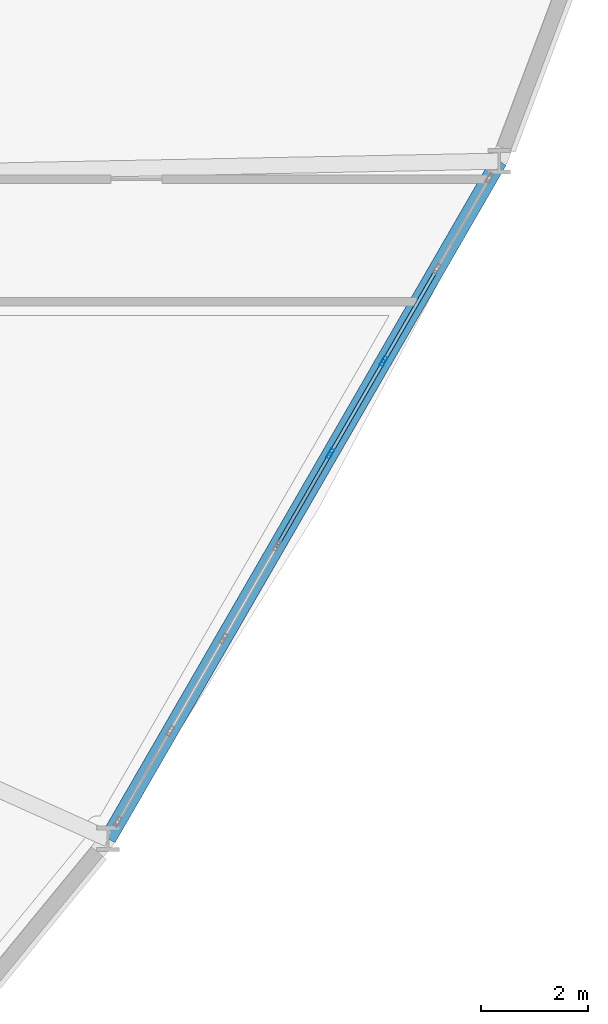
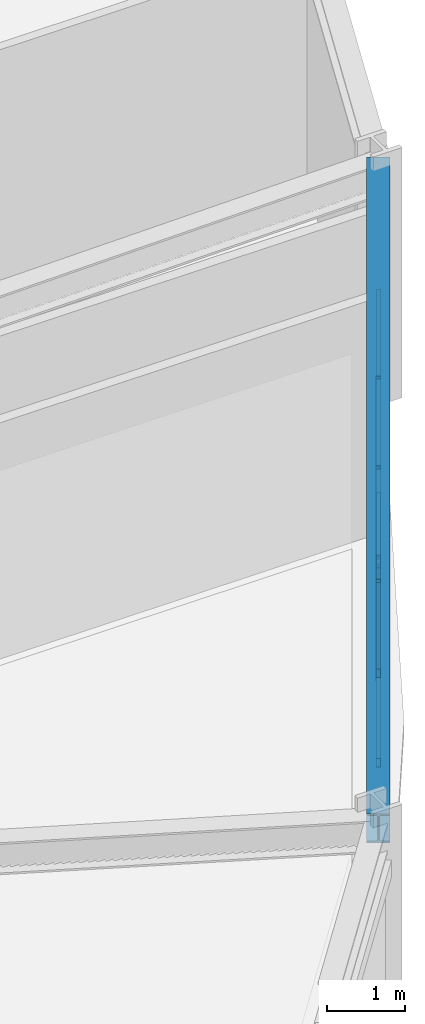
# One storey, part 7 of 20: 9 members, 1 beam, 1 element without a shape of its own.
"""IFC4 building model written with IfcOpenShell, lengths in metres."""

from ifc_helpers import new_model, si_unit, derived_unit, direction, frame, origin, origin_2d, place, context, subcontext, project, spatial, hollow_rectangle, i_section, extrude, source, transform, mapped, material, layer, layer_set, material_profile, profile_set, type_object, element, aggregate, save


model = new_model("IFC4")

# Units and contexts
model_context = context("Model", 3, precision=1e-05, world=origin(), true_north=direction((0.0, 1.0)))
body_context = subcontext(model_context, "Body", "Model", "MODEL_VIEW")
ifc_project = project(units=[si_unit("LENGTHUNIT", "METRE"), si_unit("AREAUNIT", "SQUARE_METRE"), si_unit("VOLUMEUNIT", "CUBIC_METRE"), si_unit("PLANEANGLEUNIT", "RADIAN"), si_unit("MASSUNIT", "GRAM", prefix="KILO"), derived_unit("THERMALTRANSMITTANCEUNIT", [(si_unit("POWERUNIT", "WATT"), 1), (si_unit("LENGTHUNIT", "METRE"), -2), (si_unit("THERMODYNAMICTEMPERATUREUNIT", "KELVIN"), -1)])], contexts=[model_context])

# Site, building, storey
site_placement = place(None, origin())
site = spatial("IfcSite", under=ifc_project, at=site_placement, CompositionType="ELEMENT")
building_placement = place(site_placement, origin())
building = spatial("IfcBuilding", under=site, at=building_placement, Name="Korsvarv Bourse and Concert Hall", CompositionType="ELEMENT")
storey_placement = place(building_placement, frame((0.0, 0.0, 87.300048828125)))
storey = spatial("IfcBuildingStorey", under=building, at=storey_placement, Name="L21", CompositionType="ELEMENT", Elevation=87.300048828125)

# Beam
ifc_material_1 = material(Name="Steel S355", Category="steel")
ifc_material_profile_1 = material_profile(ifc_material_1, i_section(OverallWidth=0.300048828125, OverallDepth=0.449951171875, WebThickness=0.013916015625, FlangeThickness=0.02587890625, FilletRadius=0.02099609375, at=origin_2d()), Name="HEB 450")
ifc_profile_set_1 = profile_set([ifc_material_profile_1], Name="Steel S355")
beam_type = type_object("IfcBeamType", Name="BM-HEB450", PredefinedType="SPANDREL", material=ifc_profile_set_1)
shared_shape_1 = source(origin(), body_context, "Body", "SweptSolid", [
    extrude(i_section(OverallWidth=0.300048828125, OverallDepth=0.449951171875, WebThickness=0.013916015625, FlangeThickness=0.02587890625, FilletRadius=0.02099609375, at=origin_2d()), origin(), (0.0, 0.0, 1.0), 14.6181640625),
])
beam_placement = place(storey_placement, frame((53.309814453125, 19.9912109375, 3.454833984375), z_axis=(0.500000991318, 0.866024831446, 0.0), x_axis=(-0.866024831446, 0.500000991318, 0.0)))
element("IfcBeam", 1, at=beam_placement, inside=storey, type_object=beam_type, Name="L21 beam B-08", PredefinedType="SPANDREL", context=body_context, shape_type="MappedRepresentation", body=[
    mapped(shared_shape_1, transform((0.0, 0.0, 0.0), scale=1.0)),
])

# Curtain wall, members
ifc_material_2 = material(Name="Anodised aluminium and triple low-E glazing", Category="glass")
ifc_layer = layer(ifc_material_2, 0.219970703125)
ifc_layer_set = layer_set([ifc_layer], Name="Anodised aluminium and triple low-E glazing")
curtain_wall_type = type_object("IfcCurtainWallType", Name="CW-SYS-1", PredefinedType="NOTDEFINED", material=ifc_layer_set)
curtain_wall_placement = place(storey_placement, origin())
curtain_wall = element("IfcCurtainWall", 2, at=curtain_wall_placement, inside=storey, type_object=curtain_wall_type, Name="L21 CW1 curtain wall CW-L21-F11", PredefinedType="NOTDEFINED")
ifc_material_3 = material(Name="Extruded aluminium EN AW-6063 T66", Category="aluminium")
ifc_material_profile_2 = material_profile(ifc_material_3, hollow_rectangle(XDim=0.070068359375, YDim=0.18994140625, WallThickness=0.0048828125, at=origin_2d()), Name="ALU-M 70x190")
ifc_profile_set_2 = profile_set([ifc_material_profile_2], Name="Extruded aluminium EN AW-6063 T66")
member_type_1 = type_object("IfcMemberType", Name="CWM-190", PredefinedType="MULLION", material=ifc_profile_set_2)
shared_shape_2 = source(origin(), body_context, "Body", "SweptSolid", [
    extrude(hollow_rectangle(XDim=0.070068359375, YDim=0.18994140625, WallThickness=0.0048828125, at=origin_2d()), origin(), (0.0, 0.0, 1.0), 3.22998046875),
])
member_1_placement = place(storey_placement, frame((57.462890625, 27.184326171875, 0.0), z_axis=(0.0, 0.0, 1.0), x_axis=(-0.8660261613, 0.499998687942, 0.0)))
member_1 = element("IfcMember", 3, at=member_1_placement, type_object=member_type_1, Name="CW1 mullion 5", PredefinedType="MULLION", context=body_context, shape_type="MappedRepresentation", body=[
    mapped(shared_shape_2, transform((0.0, 0.0, 0.0), scale=1.0)),
])
member_2_placement = place(storey_placement, frame((58.459716796875, 28.910888671875, 0.0), z_axis=(0.0, 0.0, 1.0), x_axis=(-0.8660261613, 0.499998687942, 0.0)))
member_2 = element("IfcMember", 4, at=member_2_placement, type_object=member_type_1, Name="CW1 mullion 6", PredefinedType="MULLION", context=body_context, shape_type="MappedRepresentation", body=[
    mapped(shared_shape_2, transform((0.0, 0.0, 0.0), scale=1.0)),
])
ifc_material_profile_3 = material_profile(ifc_material_3, hollow_rectangle(XDim=0.06494140625, YDim=0.139892578125, WallThickness=0.00390625, at=origin_2d()), Name="ALU-T 65x140")
ifc_profile_set_3 = profile_set([ifc_material_profile_3], Name="Extruded aluminium EN AW-6063 T66")
member_type_2 = type_object("IfcMemberType", Name="CWT-140", PredefinedType="USERDEFINED", material=ifc_profile_set_3)
shared_shape_3 = source(origin(), body_context, "Body", "SweptSolid", [
    extrude(hollow_rectangle(XDim=0.06494140625, YDim=0.139892578125, WallThickness=0.00390625, at=origin_2d()), origin(), (0.0, 0.0, 1.0), 1.923828125),
])
member_3_placement = place(storey_placement, frame((56.4833984375, 25.488037109375, 0.032470703125), z_axis=(0.500015396624, 0.866016514357, 0.0), x_axis=(-0.866016514357, 0.500015396624, 0.0)))
member_3 = element("IfcMember", 5, at=member_3_placement, type_object=member_type_2, Name="CW1 transom 4.1", ObjectType="TRANSOM", PredefinedType="USERDEFINED", context=body_context, shape_type="MappedRepresentation", body=[
    mapped(shared_shape_3, transform((0.0, 0.0, 0.0), scale=1.0)),
])
member_4_placement = place(storey_placement, frame((56.4833984375, 25.488037109375, 3.197509765625), z_axis=(0.500015396624, 0.866016514357, 0.0), x_axis=(-0.866016514357, 0.500015396624, 0.0)))
member_4 = element("IfcMember", 6, at=member_4_placement, type_object=member_type_2, Name="CW1 transom 4.2", ObjectType="TRANSOM", PredefinedType="USERDEFINED", context=body_context, shape_type="MappedRepresentation", body=[
    mapped(shared_shape_3, transform((0.0, 0.0, 0.0), scale=1.0)),
])
member_5_placement = place(storey_placement, frame((57.480224609375, 27.214599609375, 0.032470703125), z_axis=(0.500015396624, 0.866016514357, 0.0), x_axis=(-0.866016514357, 0.500015396624, 0.0)))
member_5 = element("IfcMember", 7, at=member_5_placement, type_object=member_type_2, Name="CW1 transom 5.1", ObjectType="TRANSOM", PredefinedType="USERDEFINED", context=body_context, shape_type="MappedRepresentation", body=[
    mapped(shared_shape_3, transform((0.0, 0.0, 0.0), scale=1.0)),
])
member_6_placement = place(storey_placement, frame((57.480224609375, 27.214599609375, 3.197509765625), z_axis=(0.500015396624, 0.866016514357, 0.0), x_axis=(-0.866016514357, 0.500015396624, 0.0)))
member_6 = element("IfcMember", 8, at=member_6_placement, type_object=member_type_2, Name="CW1 transom 5.2", ObjectType="TRANSOM", PredefinedType="USERDEFINED", context=body_context, shape_type="MappedRepresentation", body=[
    mapped(shared_shape_3, transform((0.0, 0.0, 0.0), scale=1.0)),
])
member_7_placement = place(storey_placement, frame((58.47705078125, 28.941162109375, 0.032470703125), z_axis=(0.500015396624, 0.866016514357, 0.0), x_axis=(-0.866016514357, 0.500015396624, 0.0)))
member_7 = element("IfcMember", 9, at=member_7_placement, type_object=member_type_2, Name="CW1 transom 6.1", ObjectType="TRANSOM", PredefinedType="USERDEFINED", context=body_context, shape_type="MappedRepresentation", body=[
    mapped(shared_shape_3, transform((0.0, 0.0, 0.0), scale=1.0)),
])
member_8_placement = place(storey_placement, frame((58.47705078125, 28.941162109375, 3.197509765625), z_axis=(0.500015396624, 0.866016514357, 0.0), x_axis=(-0.866016514357, 0.500015396624, 0.0)))
member_8 = element("IfcMember", 10, at=member_8_placement, type_object=member_type_2, Name="CW1 transom 6.2", ObjectType="TRANSOM", PredefinedType="USERDEFINED", context=body_context, shape_type="MappedRepresentation", body=[
    mapped(shared_shape_3, transform((0.0, 0.0, 0.0), scale=1.0)),
])
ifc_material_profile_4 = material_profile(ifc_material_3, hollow_rectangle(XDim=0.06494140625, YDim=0.1650390625, WallThickness=0.0048828125, at=origin_2d()), Name="ALU-M 65x165")
ifc_profile_set_4 = profile_set([ifc_material_profile_4], Name="Extruded aluminium EN AW-6063 T66")
member_type_3 = type_object("IfcMemberType", Name="CWM-165", PredefinedType="MULLION", material=ifc_profile_set_4)
shared_shape_4 = source(origin(), body_context, "Body", "SweptSolid", [
    extrude(hollow_rectangle(XDim=0.06494140625, YDim=0.1650390625, WallThickness=0.0048828125, at=origin_2d()), origin(), (0.0, 0.0, 1.0), 3.6484375),
])
member_9_placement = place(storey_placement, frame((57.4453125, 27.154052734375, 0.06494140625), z_axis=(-0.263647041796, -0.456631323152, 0.849692928103), x_axis=(0.866016514357, -0.500015396624, 0.0)))
member_9 = element("IfcMember", 11, at=member_9_placement, type_object=member_type_3, Name="CW1 diagonal mullion 4", PredefinedType="MULLION", context=body_context, shape_type="MappedRepresentation", body=[
    mapped(shared_shape_4, transform((0.0, 0.0, 0.0), scale=1.0)),
])
aggregate(curtain_wall, [member_1, member_2, member_3, member_4, member_9, member_5, member_6, member_7, member_8])

save(model, "model.ifc")
